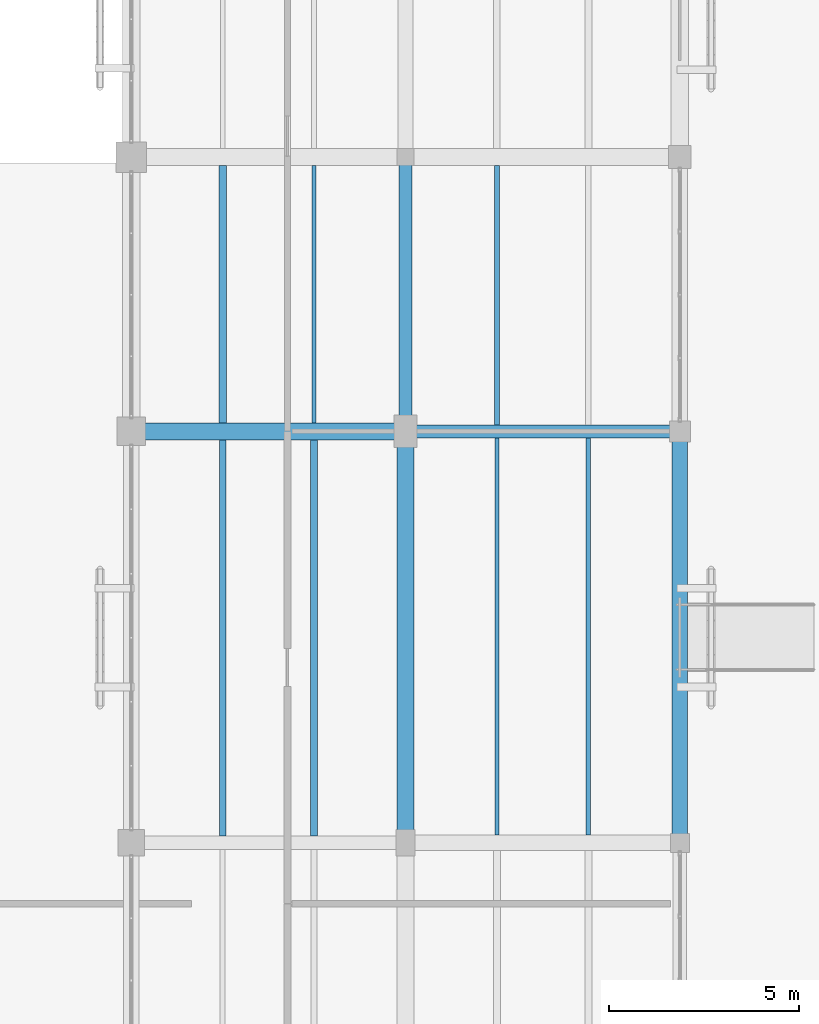
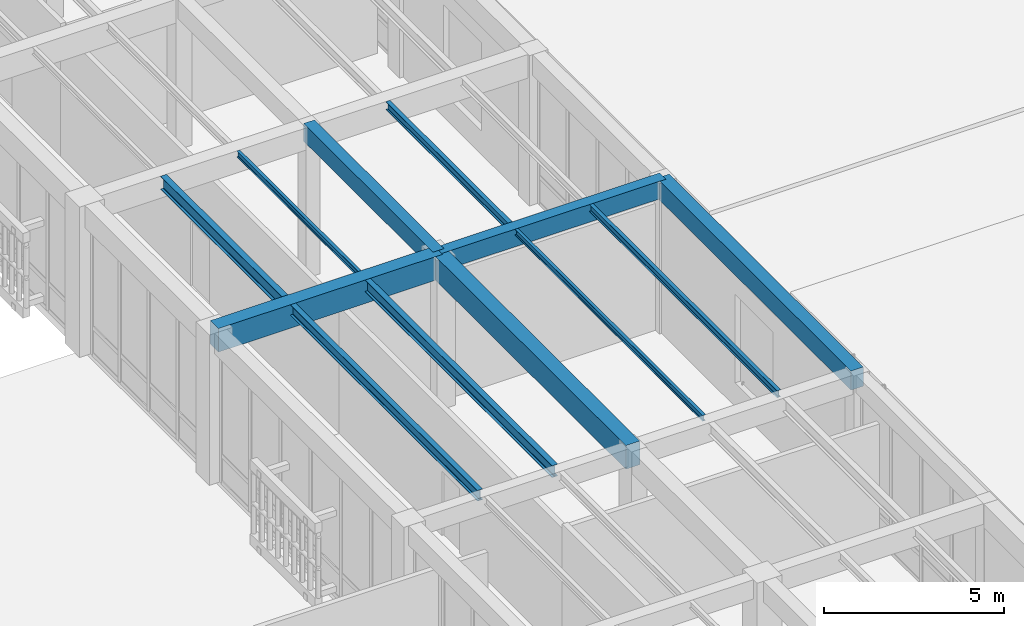
# One storey, part 38 of 169: 12 beams.
"""IFC4 building model written with IfcOpenShell, lengths in metres."""

from ifc_helpers import new_model, si_unit, direction, frame, origin, origin_2d, place, context, subcontext, project, spatial, rectangle, i_section, extrude, material, material_profile, profile_set, type_object, element, save


model = new_model("IFC4")

# Units and contexts
model_context = context("Model", 3, precision=1e-05, world=origin(), true_north=direction((0.0, 1.0)))
body_context = subcontext(model_context, "Body", "Model", "MODEL_VIEW")
ifc_project = project(units=[si_unit("LENGTHUNIT", "METRE"), si_unit("AREAUNIT", "SQUARE_METRE"), si_unit("VOLUMEUNIT", "CUBIC_METRE"), si_unit("PLANEANGLEUNIT", "RADIAN"), si_unit("MASSUNIT", "GRAM", prefix="KILO")], contexts=[model_context])

# Site, building, storey
site_placement = place(None, origin())
site = spatial("IfcSite", under=ifc_project, at=site_placement, CompositionType="ELEMENT")
building_placement = place(site_placement, origin())
building = spatial("IfcBuilding", under=site, at=building_placement, Name="Mazaris Harbour Polytechnic", CompositionType="ELEMENT")
storey_placement = place(building_placement, origin())
storey = spatial("IfcBuildingStorey", under=building, at=storey_placement, Name="L00", CompositionType="ELEMENT", Elevation=0.0)

# Beams
ifc_material_1 = material(Name="Concrete C35/45", Category="concrete")
ifc_material_profile_1 = material_profile(ifc_material_1, rectangle(XDim=0.35009765625, YDim=0.60009765625, at=origin_2d()), Name="RECT350x600")
ifc_profile_set_1 = profile_set([ifc_material_profile_1], Name="Concrete C35/45")
beam_type_1 = type_object("IfcBeamType", Name="RC Girder 350x600", PredefinedType="BEAM", material=ifc_profile_set_1)
for number, where, z_axis, x_axis, name in (
    (1, (36.0, 54.0, 4.800048828125), (1.0, 0.0, 0.0), (0.0, 1.0, 0.0), "V4 L00 Girder 1390"),
    (2, (36.0, 54.0, 4.800048828125), (0.0, 1.0, 0.0), (-1.0, 0.0, 0.0), "V4 L00 Tie Girder 1485"),
):
    element("IfcBeam", number, at=place(storey_placement, frame(where, z_axis=z_axis, x_axis=x_axis)), inside=storey, type_object=beam_type_1, Name=name, PredefinedType="BEAM", context=body_context, shape_type="SweptSolid", body=[
        extrude(rectangle(XDim=0.35009765625, YDim=0.60009765625, at=origin_2d()), origin(), (0.0, 0.0, 1.0), 7.199951171875),
    ])
ifc_material_2 = material(Name="Concrete C35/45", Category="concrete")
ifc_material_profile_2 = material_profile(ifc_material_2, rectangle(XDim=0.39990234375, YDim=0.64990234375, at=origin_2d()), Name="RECT400x650")
ifc_profile_set_2 = profile_set([ifc_material_profile_2], Name="Concrete C35/45")
beam_type_2 = type_object("IfcBeamType", Name="RC Girder 400x650 Exterior", PredefinedType="BEAM", material=ifc_profile_set_2)
beam_1_placement = place(storey_placement, frame((43.199951171875, 43.199951171875, 4.77490234375), z_axis=(0.0, 1.0, 0.0), x_axis=(-1.0, 0.0, 0.0)))
element("IfcBeam", 3, at=beam_1_placement, inside=storey, type_object=beam_type_2, Name="V4 L00 Tie Girder 1496", PredefinedType="BEAM", context=body_context, shape_type="SweptSolid", body=[
    extrude(rectangle(XDim=0.39990234375, YDim=0.64990234375, at=origin_2d()), origin(), (0.0, 0.0, 1.0), 10.800048828125),
])
ifc_material_3 = material(Name="Concrete C40/50", Category="concrete")
ifc_material_profile_3 = material_profile(ifc_material_3, rectangle(XDim=0.449951171875, YDim=0.800048828125, at=origin_2d()), Name="RECT450x800")
ifc_profile_set_3 = profile_set([ifc_material_profile_3], Name="Concrete C40/50")
beam_type_3 = type_object("IfcBeamType", Name="RC Girder 450x800", PredefinedType="BEAM", material=ifc_profile_set_3)
beam_2_placement = place(storey_placement, frame((28.800048828125, 54.0, 4.699951171875), z_axis=(1.0, 0.0, 0.0), x_axis=(0.0, 1.0, 0.0)))
element("IfcBeam", 4, at=beam_2_placement, inside=storey, type_object=beam_type_3, Name="V4 L00 Girder 1389", PredefinedType="BEAM", context=body_context, shape_type="SweptSolid", body=[
    extrude(rectangle(XDim=0.449951171875, YDim=0.800048828125, at=origin_2d()), origin(), (0.0, 0.0, 1.0), 7.199951171875),
])
beam_3_placement = place(storey_placement, frame((36.0, 43.199951171875, 4.699951171875), z_axis=(0.0, 1.0, 0.0), x_axis=(-1.0, 0.0, 0.0)))
element("IfcBeam", 5, at=beam_3_placement, inside=storey, type_object=beam_type_3, Name="V4 L00 Tie Girder 1484", PredefinedType="BEAM", context=body_context, shape_type="SweptSolid", body=[
    extrude(rectangle(XDim=0.449951171875, YDim=0.800048828125, at=origin_2d()), origin(), (0.0, 0.0, 1.0), 10.800048828125),
])
ifc_material_4 = material(Name="Steel S355", Category="steel")
ifc_material_profile_4 = material_profile(ifc_material_4, i_section(OverallWidth=0.10009765625, OverallDepth=0.199951171875, WebThickness=0.005615234375, FlangeThickness=0.008544921875, FilletRadius=0.011962890625, at=origin_2d()), Name="IPE 200")
ifc_profile_set_4 = profile_set([ifc_material_profile_4], Name="Steel S355")
beam_type_4 = type_object("IfcBeamType", Name="Steel Joist IPE200", PredefinedType="JOIST", material=ifc_profile_set_4)
beam_4_placement = place(storey_placement, frame((33.60009765625, 54.22509765625, 5.0), z_axis=(0.0, 1.0, 0.0), x_axis=(-1.0, 0.0, 0.0)))
element("IfcBeam", 6, at=beam_4_placement, inside=storey, type_object=beam_type_4, Name="V4 L00 Floor Joist 1589", PredefinedType="JOIST", context=body_context, shape_type="SweptSolid", body=[
    extrude(i_section(OverallWidth=0.10009765625, OverallDepth=0.199951171875, WebThickness=0.005615234375, FlangeThickness=0.008544921875, FilletRadius=0.011962890625, at=origin_2d()), origin(), (0.0, 0.0, 1.0), 6.75),
])
beam_5_placement = place(storey_placement, frame((38.39990234375, 43.39990234375, 5.0), z_axis=(0.0, 1.0, 0.0), x_axis=(-1.0, 0.0, 0.0)))
element("IfcBeam", 7, at=beam_5_placement, inside=storey, type_object=beam_type_4, Name="V4 L00 Floor Joist 1610", PredefinedType="JOIST", context=body_context, shape_type="SweptSolid", body=[
    extrude(i_section(OverallWidth=0.10009765625, OverallDepth=0.199951171875, WebThickness=0.005615234375, FlangeThickness=0.008544921875, FilletRadius=0.011962890625, at=origin_2d()), origin(), (0.0, 0.0, 1.0), 10.425048828125),
])
ifc_material_5 = material(Name="Steel S355", Category="steel")
ifc_material_profile_5 = material_profile(ifc_material_5, i_section(OverallWidth=0.1201171875, OverallDepth=0.239990234375, WebThickness=0.006103515625, FlangeThickness=0.009765625, FilletRadius=0.014892578125, at=origin_2d()), Name="IPE 240")
ifc_profile_set_5 = profile_set([ifc_material_profile_5], Name="Steel S355")
beam_type_5 = type_object("IfcBeamType", Name="Steel Joist IPE240", PredefinedType="JOIST", material=ifc_profile_set_5)
beam_6_placement = place(storey_placement, frame((40.800048828125, 43.39990234375, 4.97998046875), z_axis=(0.0, 1.0, 0.0), x_axis=(-1.0, 0.0, 0.0)))
element("IfcBeam", 8, at=beam_6_placement, inside=storey, type_object=beam_type_5, Name="V4 L00 Floor Joist 1611", PredefinedType="JOIST", context=body_context, shape_type="SweptSolid", body=[
    extrude(i_section(OverallWidth=0.1201171875, OverallDepth=0.239990234375, WebThickness=0.006103515625, FlangeThickness=0.009765625, FilletRadius=0.014892578125, at=origin_2d()), origin(), (0.0, 0.0, 1.0), 10.425048828125),
])
ifc_material_6 = material(Name="Steel S355", Category="steel")
ifc_material_profile_6 = material_profile(ifc_material_6, i_section(OverallWidth=0.135009765625, OverallDepth=0.27001953125, WebThickness=0.006591796875, FlangeThickness=0.01025390625, FilletRadius=0.014892578125, at=origin_2d()), Name="IPE 270")
ifc_profile_set_6 = profile_set([ifc_material_profile_6], Name="Steel S355")
beam_type_6 = type_object("IfcBeamType", Name="Steel Joist IPE270", PredefinedType="JOIST", material=ifc_profile_set_6)
beam_7_placement = place(storey_placement, frame((38.39990234375, 54.175048828125, 4.965087890625), z_axis=(0.0, 1.0, 0.0), x_axis=(-1.0, 0.0, 0.0)))
element("IfcBeam", 9, at=beam_7_placement, inside=storey, type_object=beam_type_6, Name="V4 L00 Floor Joist 1612", PredefinedType="JOIST", context=body_context, shape_type="SweptSolid", body=[
    extrude(i_section(OverallWidth=0.135009765625, OverallDepth=0.27001953125, WebThickness=0.006591796875, FlangeThickness=0.01025390625, FilletRadius=0.014892578125, at=origin_2d()), origin(), (0.0, 0.0, 1.0), 6.800048828125),
])
ifc_material_7 = material(Name="Steel S355", Category="steel")
ifc_material_profile_7 = material_profile(ifc_material_7, i_section(OverallWidth=0.169921875, OverallDepth=0.360107421875, WebThickness=0.008056640625, FlangeThickness=0.0126953125, FilletRadius=0.01806640625, at=origin_2d()), Name="IPE 360")
ifc_profile_set_7 = profile_set([ifc_material_profile_7], Name="Steel S355")
beam_type_7 = type_object("IfcBeamType", Name="Steel Joist IPE360", PredefinedType="JOIST", material=ifc_profile_set_7)
beam_8_placement = place(storey_placement, frame((31.199951171875, 43.375, 4.919921875), z_axis=(0.0, 1.0, 0.0), x_axis=(-1.0, 0.0, 0.0)))
element("IfcBeam", 10, at=beam_8_placement, inside=storey, type_object=beam_type_7, Name="V4 L00 Floor Joist 1586", PredefinedType="JOIST", context=body_context, shape_type="SweptSolid", body=[
    extrude(i_section(OverallWidth=0.169921875, OverallDepth=0.360107421875, WebThickness=0.008056640625, FlangeThickness=0.0126953125, FilletRadius=0.01806640625, at=origin_2d()), origin(), (0.0, 0.0, 1.0), 10.39990234375),
])
ifc_material_8 = material(Name="Steel S355", Category="steel")
ifc_material_profile_8 = material_profile(ifc_material_8, i_section(OverallWidth=0.179931640625, OverallDepth=0.39990234375, WebThickness=0.008544921875, FlangeThickness=0.013427734375, FilletRadius=0.02099609375, at=origin_2d()), Name="IPE 400")
ifc_profile_set_8 = profile_set([ifc_material_profile_8], Name="Steel S355")
beam_type_8 = type_object("IfcBeamType", Name="Steel Joist IPE400", PredefinedType="JOIST", material=ifc_profile_set_8)
beam_9_placement = place(storey_placement, frame((33.60009765625, 43.375, 4.89990234375), z_axis=(0.0, 1.0, 0.0), x_axis=(-1.0, 0.0, 0.0)))
element("IfcBeam", 11, at=beam_9_placement, inside=storey, type_object=beam_type_8, Name="V4 L00 Floor Joist 1587", PredefinedType="JOIST", context=body_context, shape_type="SweptSolid", body=[
    extrude(i_section(OverallWidth=0.179931640625, OverallDepth=0.39990234375, WebThickness=0.008544921875, FlangeThickness=0.013427734375, FilletRadius=0.02099609375, at=origin_2d()), origin(), (0.0, 0.0, 1.0), 10.39990234375),
])
ifc_material_9 = material(Name="Steel S355", Category="steel")
ifc_material_profile_9 = material_profile(ifc_material_9, i_section(OverallWidth=0.18994140625, OverallDepth=0.449951171875, WebThickness=0.009521484375, FlangeThickness=0.0146484375, FilletRadius=0.02099609375, at=origin_2d()), Name="IPE 450")
ifc_profile_set_9 = profile_set([ifc_material_profile_9], Name="Steel S355")
beam_type_9 = type_object("IfcBeamType", Name="Steel Joist IPE450", PredefinedType="JOIST", material=ifc_profile_set_9)
beam_10_placement = place(storey_placement, frame((31.199951171875, 54.22509765625, 4.875), z_axis=(0.0, 1.0, 0.0), x_axis=(-1.0, 0.0, 0.0)))
element("IfcBeam", 12, at=beam_10_placement, inside=storey, type_object=beam_type_9, Name="V4 L00 Floor Joist 1588", PredefinedType="JOIST", context=body_context, shape_type="SweptSolid", body=[
    extrude(i_section(OverallWidth=0.18994140625, OverallDepth=0.449951171875, WebThickness=0.009521484375, FlangeThickness=0.0146484375, FilletRadius=0.02099609375, at=origin_2d()), origin(), (0.0, 0.0, 1.0), 6.75),
])

save(model, "model.ifc")
